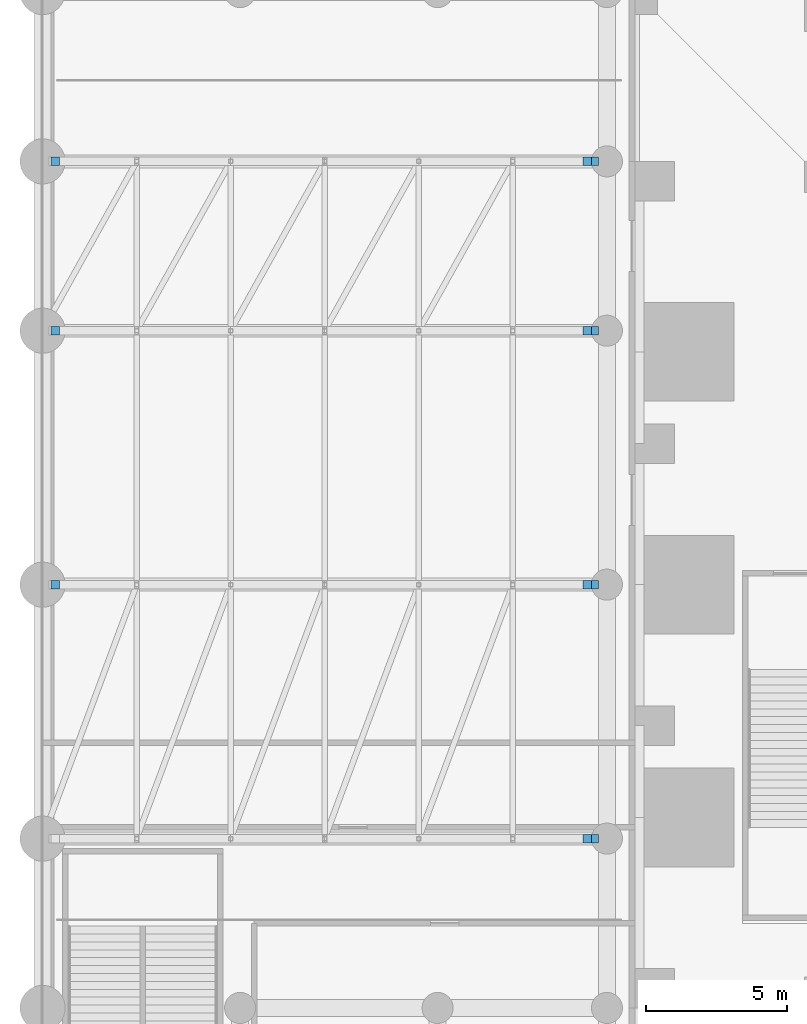
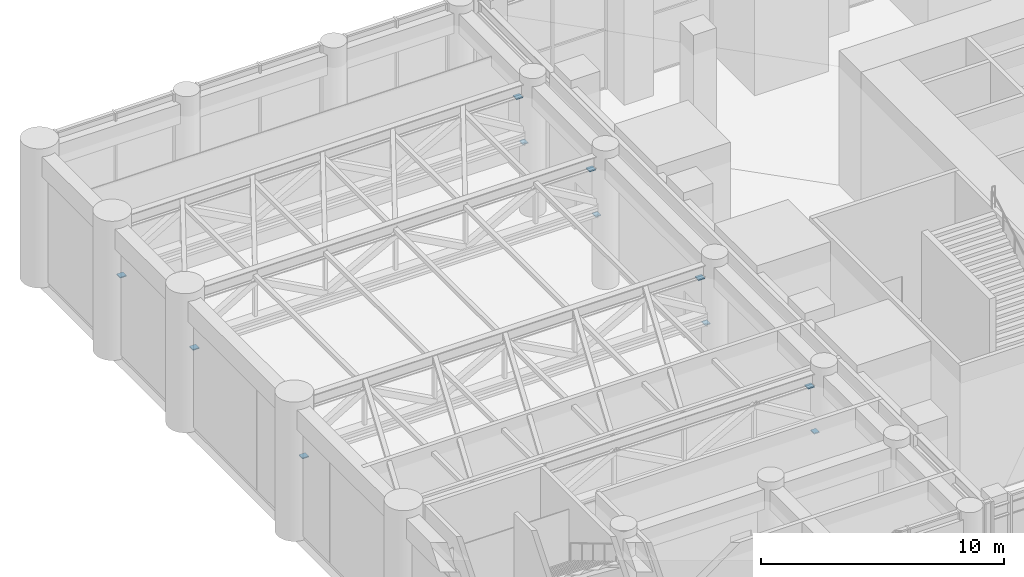
# One storey, part 25 of 30: 11 discrete accessories.
"""IFC4 building model written with IfcOpenShell, lengths in metres."""

from ifc_helpers import new_model, si_unit, direction, frame, origin, origin_2d, place, context, subcontext, project, spatial, rectangle, extrude, element, save


model = new_model("IFC4")

# Units and contexts
model_context = context("Model", 3, precision=1e-05, world=origin(), true_north=direction((0.0, 1.0)))
body_context = subcontext(model_context, "Body", "Model", "MODEL_VIEW")
ifc_project = project(units=[si_unit("LENGTHUNIT", "METRE"), si_unit("AREAUNIT", "SQUARE_METRE"), si_unit("VOLUMEUNIT", "CUBIC_METRE"), si_unit("PLANEANGLEUNIT", "RADIAN"), si_unit("MASSUNIT", "GRAM", prefix="KILO")], contexts=[model_context])

# Site, building, storey
site_placement = place(None, origin())
site = spatial("IfcSite", under=ifc_project, at=site_placement, CompositionType="ELEMENT")
building_placement = place(site_placement, origin())
building = spatial("IfcBuilding", under=site, at=building_placement, Name="Svetlomir Tower", CompositionType="ELEMENT")
storey_placement = place(building_placement, frame((0.0, 0.0, 11.0)))
storey = spatial("IfcBuildingStorey", under=building, at=storey_placement, Name="L02", CompositionType="ELEMENT", Elevation=11.0)

# Discrete accessories
discrete_accessory_1_placement = place(storey_placement, frame((-1.425048828125, 12.0, 3.5556640625), z_axis=(0.0, 0.0, 1.0), x_axis=(1.0, 0.0, 0.0)))
element("IfcDiscreteAccessory", 1, at=discrete_accessory_1_placement, inside=storey, Name="Auditorium truss 12 bottom chord bearing E", PredefinedType="NOTDEFINED", context=body_context, shape_type="SweptSolid", body=[
    extrude(rectangle(XDim=0.25, YDim=0.300048828125, at=origin_2d()), origin(), (0.0, 0.0, 1.0), 0.050048828125),
])
for number, where, z_axis, x_axis, name in (
    (2, (-1.699951171875, 12.0, 5.93017578125), (0.0, 0.0, 1.0), (1.0, 0.0, 0.0), "Auditorium truss 12 top chord slotted pin bearing E"),
    (3, (-20.550048828125, 21.0, 3.5556640625), (0.0, 0.0, 1.0), (1.0, 0.0, 0.0), "Auditorium truss 21 bottom chord bearing W"),
):
    element("IfcDiscreteAccessory", number, at=place(storey_placement, frame(where, z_axis=z_axis, x_axis=x_axis)), inside=storey, Name=name, PredefinedType="NOTDEFINED", context=body_context, shape_type="SweptSolid", body=[
        extrude(rectangle(XDim=0.300048828125, YDim=0.300048828125, at=origin_2d()), origin(), (0.0, 0.0, 1.0), 0.050048828125),
    ])
discrete_accessory_2_placement = place(storey_placement, frame((-1.425048828125, 21.0, 3.5556640625), z_axis=(0.0, 0.0, 1.0), x_axis=(1.0, 0.0, 0.0)))
element("IfcDiscreteAccessory", 4, at=discrete_accessory_2_placement, inside=storey, Name="Auditorium truss 21 bottom chord bearing E", PredefinedType="NOTDEFINED", context=body_context, shape_type="SweptSolid", body=[
    extrude(rectangle(XDim=0.25, YDim=0.300048828125, at=origin_2d()), origin(), (0.0, 0.0, 1.0), 0.050048828125),
])
for number, where, z_axis, x_axis, name in (
    (5, (-1.699951171875, 21.0, 5.93017578125), (0.0, 0.0, 1.0), (1.0, 0.0, 0.0), "Auditorium truss 21 top chord slotted pin bearing E"),
    (6, (-20.550048828125, 30.0, 3.5556640625), (0.0, 0.0, 1.0), (1.0, 0.0, 0.0), "Auditorium truss 30 bottom chord bearing W"),
):
    element("IfcDiscreteAccessory", number, at=place(storey_placement, frame(where, z_axis=z_axis, x_axis=x_axis)), inside=storey, Name=name, PredefinedType="NOTDEFINED", context=body_context, shape_type="SweptSolid", body=[
        extrude(rectangle(XDim=0.300048828125, YDim=0.300048828125, at=origin_2d()), origin(), (0.0, 0.0, 1.0), 0.050048828125),
    ])
discrete_accessory_3_placement = place(storey_placement, frame((-1.425048828125, 30.0, 3.5556640625), z_axis=(0.0, 0.0, 1.0), x_axis=(1.0, 0.0, 0.0)))
element("IfcDiscreteAccessory", 7, at=discrete_accessory_3_placement, inside=storey, Name="Auditorium truss 30 bottom chord bearing E", PredefinedType="NOTDEFINED", context=body_context, shape_type="SweptSolid", body=[
    extrude(rectangle(XDim=0.25, YDim=0.300048828125, at=origin_2d()), origin(), (0.0, 0.0, 1.0), 0.050048828125),
])
for number, where, z_axis, x_axis, name in (
    (8, (-1.699951171875, 30.0, 5.93017578125), (0.0, 0.0, 1.0), (1.0, 0.0, 0.0), "Auditorium truss 30 top chord slotted pin bearing E"),
    (9, (-20.550048828125, 36.0, 3.5556640625), (0.0, 0.0, 1.0), (1.0, 0.0, 0.0), "Auditorium truss 36 bottom chord bearing W"),
):
    element("IfcDiscreteAccessory", number, at=place(storey_placement, frame(where, z_axis=z_axis, x_axis=x_axis)), inside=storey, Name=name, PredefinedType="NOTDEFINED", context=body_context, shape_type="SweptSolid", body=[
        extrude(rectangle(XDim=0.300048828125, YDim=0.300048828125, at=origin_2d()), origin(), (0.0, 0.0, 1.0), 0.050048828125),
    ])
discrete_accessory_4_placement = place(storey_placement, frame((-1.425048828125, 36.0, 3.5556640625), z_axis=(0.0, 0.0, 1.0), x_axis=(1.0, 0.0, 0.0)))
element("IfcDiscreteAccessory", 10, at=discrete_accessory_4_placement, inside=storey, Name="Auditorium truss 36 bottom chord bearing E", PredefinedType="NOTDEFINED", context=body_context, shape_type="SweptSolid", body=[
    extrude(rectangle(XDim=0.25, YDim=0.300048828125, at=origin_2d()), origin(), (0.0, 0.0, 1.0), 0.050048828125),
])
discrete_accessory_5_placement = place(storey_placement, frame((-1.699951171875, 36.0, 5.93017578125), z_axis=(0.0, 0.0, 1.0), x_axis=(1.0, 0.0, 0.0)))
element("IfcDiscreteAccessory", 11, at=discrete_accessory_5_placement, inside=storey, Name="Auditorium truss 36 top chord slotted pin bearing E", PredefinedType="NOTDEFINED", context=body_context, shape_type="SweptSolid", body=[
    extrude(rectangle(XDim=0.300048828125, YDim=0.300048828125, at=origin_2d()), origin(), (0.0, 0.0, 1.0), 0.050048828125),
])

save(model, "model.ifc")
